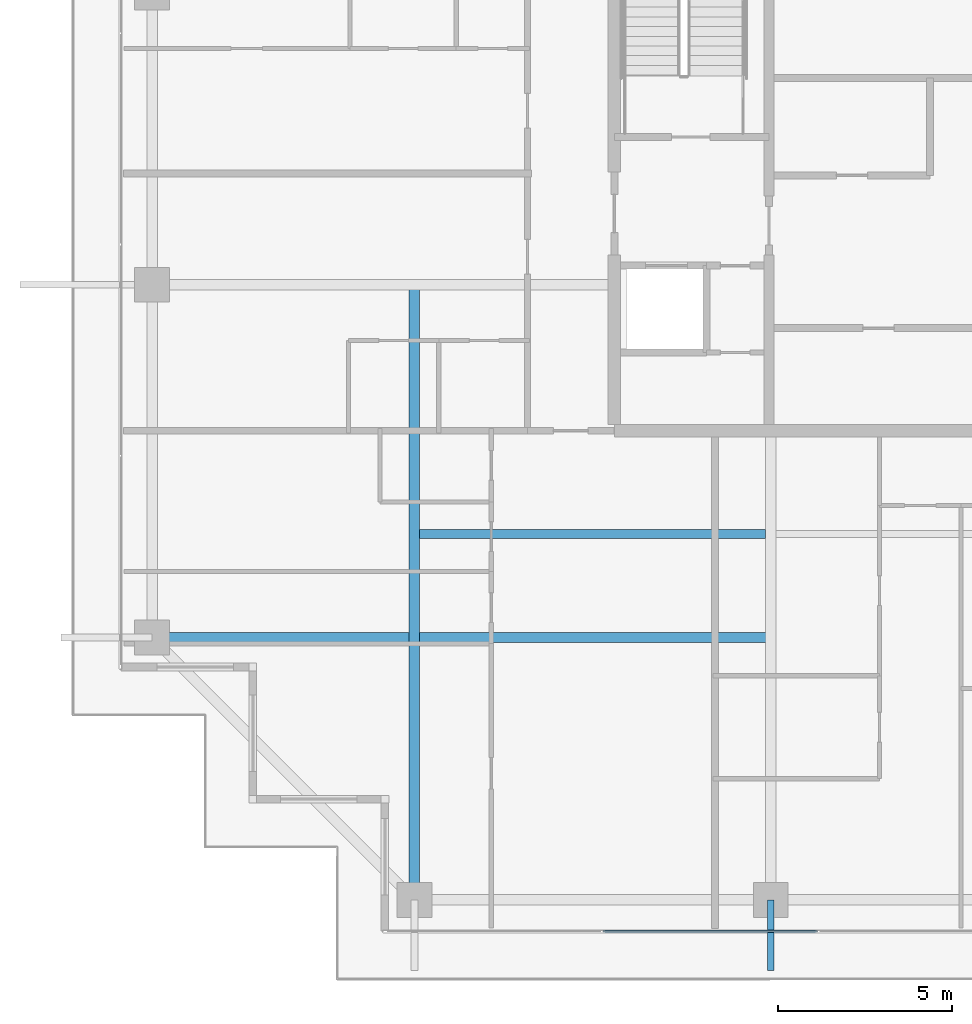
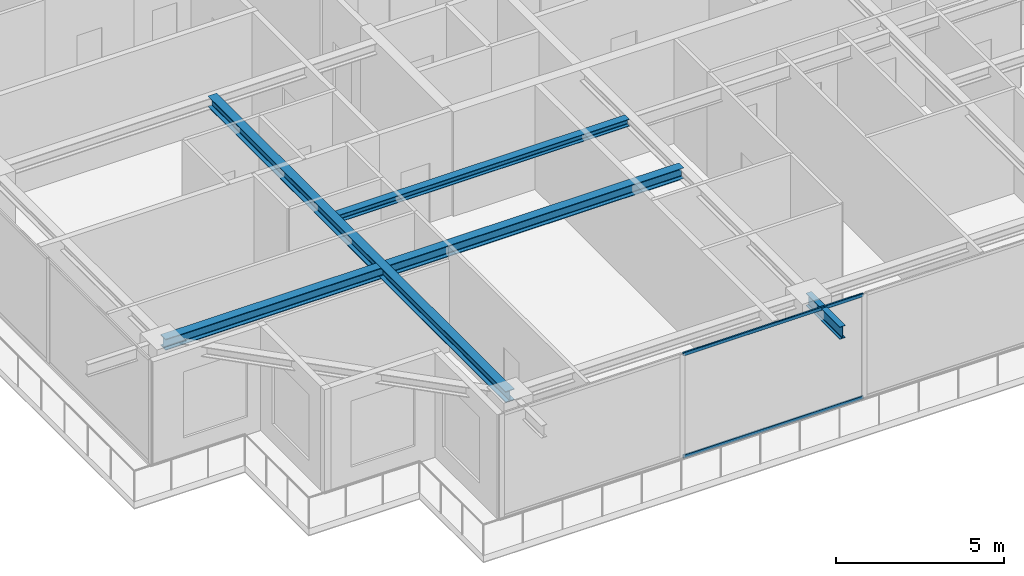
# One storey, part 5 of 40: 4 beams, 2 members, 1 element without a shape of its own.
"""IFC4 building model written with IfcOpenShell, lengths in metres."""

from ifc_helpers import new_model, si_unit, direction, frame, origin, origin_2d, place, context, subcontext, project, spatial, hollow_rectangle, i_section, extrude, source, transform, mapped, material, layer, layer_set, material_profile, profile_set, type_object, element, aggregate, save


model = new_model("IFC4")

# Units and contexts
model_context = context("Model", 3, precision=1e-05, world=origin(), true_north=direction((0.0, 1.0)))
body_context = subcontext(model_context, "Body", "Model", "MODEL_VIEW")
ifc_project = project(units=[si_unit("LENGTHUNIT", "METRE"), si_unit("AREAUNIT", "SQUARE_METRE"), si_unit("VOLUMEUNIT", "CUBIC_METRE"), si_unit("PLANEANGLEUNIT", "RADIAN"), si_unit("MASSUNIT", "GRAM", prefix="KILO")], contexts=[model_context])

# Site, building, storey
site_placement = place(None, origin())
site = spatial("IfcSite", under=ifc_project, at=site_placement, CompositionType="ELEMENT")
building_placement = place(site_placement, origin())
building = spatial("IfcBuilding", under=site, at=building_placement, Name="Serunith Strait Residences", CompositionType="ELEMENT")
storey_placement = place(building_placement, frame((0.0, 0.0, 313.699951171875)))
storey = spatial("IfcBuildingStorey", under=building, at=storey_placement, Name="L78", CompositionType="ELEMENT", Elevation=313.699951171875)

# Beams
ifc_material_1 = material(Name="Steel S355J2", Category="steel")
ifc_material_profile_1 = material_profile(ifc_material_1, i_section(OverallWidth=0.300048828125, OverallDepth=0.39990234375, WebThickness=0.013427734375, FlangeThickness=0.02392578125, FilletRadius=0.027099609375, at=origin_2d()), Name="HEB 400")
ifc_profile_set_1 = profile_set([ifc_material_profile_1], Name="Steel S355J2")
beam_type_1 = type_object("IfcBeamType", Name="BM-HEB400", PredefinedType="BEAM", material=ifc_profile_set_1)
shared_shape_1 = source(origin(), body_context, "Body", "SweptSolid", [
    extrude(i_section(OverallWidth=0.300048828125, OverallDepth=0.39990234375, WebThickness=0.013427734375, FlangeThickness=0.02392578125, FilletRadius=0.027099609375, at=origin_2d()), origin(), (0.0, 0.0, 1.0), 17.699951171875),
])
beam_1_placement = place(storey_placement, frame((17.64990234375, 21.0, 3.587158203125), z_axis=(0.0, -1.0, 0.0), x_axis=(1.0, 0.0, 0.0)))
element("IfcBeam", 1, at=beam_1_placement, inside=storey, type_object=beam_type_1, Name="L78 Orthogonal Corner Girder TC-S1", PredefinedType="BEAM", context=body_context, shape_type="MappedRepresentation", body=[
    mapped(shared_shape_1, transform((0.0, 0.0, 0.0), scale=1.0)),
])
shared_shape_2 = source(origin(), body_context, "Body", "SweptSolid", [
    extrude(i_section(OverallWidth=0.300048828125, OverallDepth=0.39990234375, WebThickness=0.013427734375, FlangeThickness=0.02392578125, FilletRadius=0.027099609375, at=origin_2d()), origin(), (0.0, 0.0, 1.0), 17.7998046875),
])
beam_2_placement = place(storey_placement, frame((27.89990234375, 10.85009765625, 3.587158203125), z_axis=(-1.0, 0.0, 0.0), x_axis=(0.0, -1.0, 0.0)))
element("IfcBeam", 2, at=beam_2_placement, inside=storey, type_object=beam_type_1, Name="L78 Orthogonal Corner Girder TC-W1", PredefinedType="BEAM", context=body_context, shape_type="MappedRepresentation", body=[
    mapped(shared_shape_2, transform((0.0, 0.0, 0.0), scale=1.0)),
])
ifc_material_profile_2 = material_profile(ifc_material_1, i_section(OverallWidth=0.260009765625, OverallDepth=0.260009765625, WebThickness=0.010009765625, FlangeThickness=0.017578125, FilletRadius=0.02392578125, at=origin_2d()), Name="HEB 260")
ifc_profile_set_2 = profile_set([ifc_material_profile_2], Name="Steel S355J2")
beam_type_2 = type_object("IfcBeamType", Name="BM-HEB260", PredefinedType="JOIST", material=ifc_profile_set_2)
shared_shape_3 = source(origin(), body_context, "Body", "SweptSolid", [
    extrude(i_section(OverallWidth=0.260009765625, OverallDepth=0.260009765625, WebThickness=0.010009765625, FlangeThickness=0.017578125, FilletRadius=0.02392578125, at=origin_2d()), origin(), (0.0, 0.0, 1.0), 9.949951171875),
])
beam_3_placement = place(storey_placement, frame((17.800048828125, 13.824951171875, 3.656982421875), z_axis=(1.0, 0.0, 0.0), x_axis=(0.0, 1.0, 0.0)))
element("IfcBeam", 3, at=beam_3_placement, inside=storey, type_object=beam_type_2, Name="L78 Composite Floor Joist 01", PredefinedType="JOIST", context=body_context, shape_type="MappedRepresentation", body=[
    mapped(shared_shape_3, transform((0.0, 0.0, 0.0), scale=1.0)),
])
ifc_material_profile_3 = material_profile(ifc_material_1, i_section(OverallWidth=0.18994140625, OverallDepth=0.449951171875, WebThickness=0.009521484375, FlangeThickness=0.0146484375, FilletRadius=0.02099609375, at=origin_2d()), Name="IPE 450")
ifc_profile_set_3 = profile_set([ifc_material_profile_3], Name="Steel S355J2")
beam_type_3 = type_object("IfcBeamType", Name="BM-IPE450", PredefinedType="JOIST", material=ifc_profile_set_3)
shared_shape_4 = source(origin(), body_context, "Body", "SweptSolid", [
    extrude(i_section(OverallWidth=0.18994140625, OverallDepth=0.449951171875, WebThickness=0.009521484375, FlangeThickness=0.0146484375, FilletRadius=0.02099609375, at=origin_2d()), origin(), (0.0, 0.0, 1.0), 2.030029296875),
])
beam_4_placement = place(storey_placement, frame((27.89990234375, 3.300048828125, 3.531982421875), z_axis=(0.0, -1.0, 0.0), x_axis=(1.0, 0.0, 0.0)))
element("IfcBeam", 4, at=beam_4_placement, inside=storey, type_object=beam_type_3, Name="L79 Cantilevered Balcony Rib TC-S2", PredefinedType="JOIST", context=body_context, shape_type="MappedRepresentation", body=[
    mapped(shared_shape_4, transform((0.0, 0.0, 0.0), scale=1.0)),
])

# Curtain wall, members
ifc_material_2 = material(Name="Brushed Stainless-Silver Aluminium", Category="aluminium")
ifc_layer = layer(ifc_material_2, 0.199951171875, Name="Brushed Stainless-Silver Aluminium")
ifc_layer_set = layer_set([ifc_layer], Name="Brushed Stainless-Silver Aluminium")
curtain_wall_type = type_object("IfcCurtainWallType", Name="CW-SYS5", PredefinedType="NOTDEFINED", material=ifc_layer_set)
curtain_wall_placement = place(storey_placement, origin())
curtain_wall = element("IfcCurtainWall", 5, at=curtain_wall_placement, inside=storey, type_object=curtain_wall_type, Name="L78 S Unitised Fritted Curtain Wall", PredefinedType="NOTDEFINED")
ifc_material_profile_4 = material_profile(ifc_material_2, hollow_rectangle(XDim=0.06005859375, YDim=0.1201171875, WallThickness=0.00341796875, InnerFilletRadius=0.00537109375, OuterFilletRadius=0.0087890625, at=origin_2d()), Name="ALU 120x60x3.5")
ifc_profile_set_4 = profile_set([ifc_material_profile_4], Name="Brushed Stainless-Silver Aluminium")
member_type = type_object("IfcMemberType", Name="CW-SYS5-TRAN", PredefinedType="USERDEFINED", material=ifc_profile_set_4)
shared_shape_5 = source(origin(), body_context, "Body", "SweptSolid", [
    extrude(hollow_rectangle(XDim=0.06005859375, YDim=0.1201171875, WallThickness=0.00341796875, InnerFilletRadius=0.00537109375, OuterFilletRadius=0.0087890625, at=origin_2d()), origin(), (0.0, 0.0, 1.0), 6.175048828125),
])
member_1_placement = place(storey_placement, frame((23.072509765625, 2.39990234375, 0.030029296875), z_axis=(1.0, 0.0, 0.0), x_axis=(0.0, 1.0, 0.0)))
member_1 = element("IfcMember", 6, at=member_1_placement, type_object=member_type, Name="CW-5 transom 2.1", ObjectType="TRANSOM", PredefinedType="USERDEFINED", context=body_context, shape_type="MappedRepresentation", body=[
    mapped(shared_shape_5, transform((0.0, 0.0, 0.0), scale=1.0)),
])
member_2_placement = place(storey_placement, frame((23.072509765625, 2.39990234375, 3.7451171875), z_axis=(1.0, 0.0, 0.0), x_axis=(0.0, 1.0, 0.0)))
member_2 = element("IfcMember", 7, at=member_2_placement, type_object=member_type, Name="CW-5 transom 2.2", ObjectType="TRANSOM", PredefinedType="USERDEFINED", context=body_context, shape_type="MappedRepresentation", body=[
    mapped(shared_shape_5, transform((0.0, 0.0, 0.0), scale=1.0)),
])
aggregate(curtain_wall, [member_1, member_2])

save(model, "model.ifc")
